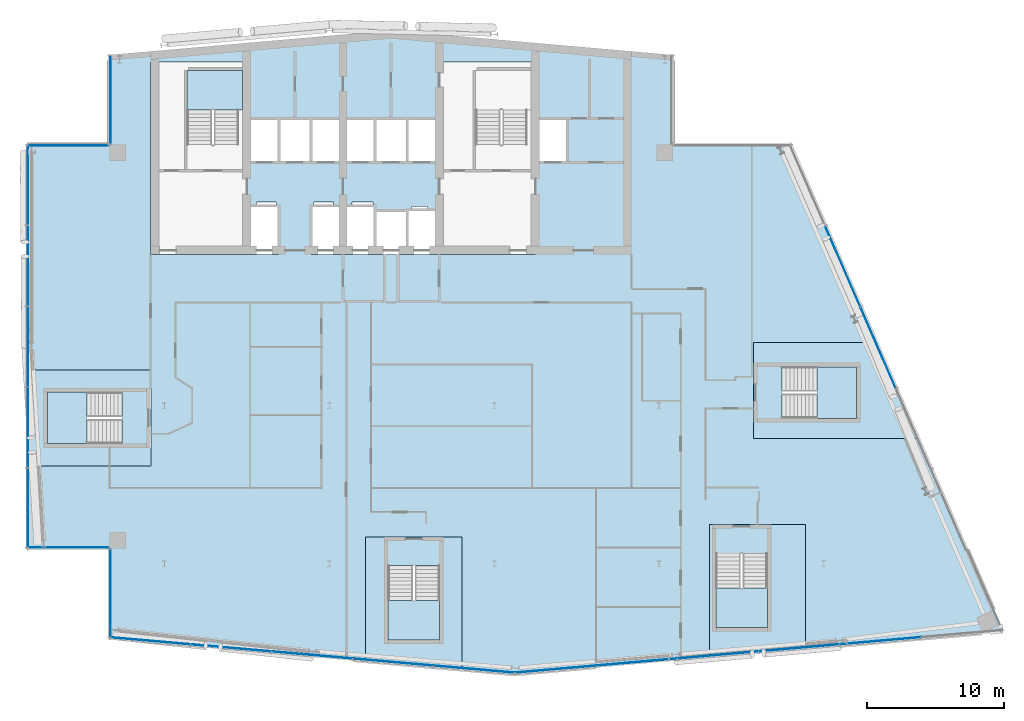
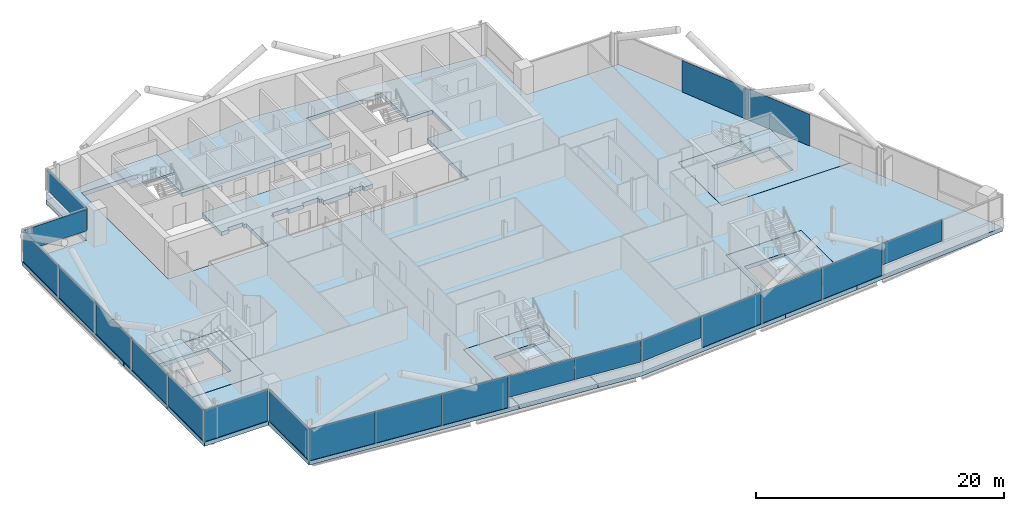
# One storey, part 13 of 25: 21 plates, 10 slabs, 13 elements without a shape of their own.
"""IFC4 building model written with IfcOpenShell, lengths in metres."""

import ifcopenshell
import ifcopenshell.guid

model = None  # the IFC model being written
_history = None  # IfcOwnerHistory: only IFC2X3 demands one
_inside = {}  # id of a spatial element -> (the spatial element, [elements in it])
_under = {}  # id of a project, library or spatial element -> (it, [spatial elements below it])
_declared = {}  # id of a project -> (the project, [libraries it declares])
_typed = {}  # id of a type object -> (the type object, [elements of that type])
_made_of = {}  # id of a material, layer set ... -> (it, [elements and type objects made of it])


def new_model(schema):
    """Start an empty IFC model of exactly this schema.

    Asked for "IFC4X3", IfcOpenShell would pick the latest addendum, in which some entities
    have other attributes; the version numbers below select the first issue.
    IFC2X3 requires an IfcOwnerHistory on every rooted entity: one is made here for all.
    """
    global model, _history
    if schema == "IFC4X3":
        model = ifcopenshell.file(schema_version=(4, 3, 0, 0))
    else:
        model = ifcopenshell.file(schema=schema)
    _inside.clear()
    _under.clear()
    _declared.clear()
    _typed.clear()
    _made_of.clear()
    _history = None
    if model.schema == "IFC2X3":
        org = make("IfcOrganization", Name="unknown")
        user = make(
            "IfcPersonAndOrganization",
            ThePerson=make("IfcPerson", FamilyName="unknown"),
            TheOrganization=org,
        )
        app = make(
            "IfcApplication",
            ApplicationDeveloper=org,
            Version="unknown",
            ApplicationFullName="unknown",
            ApplicationIdentifier="unknown",
        )
        _history = make(
            "IfcOwnerHistory",
            OwningUser=user,
            OwningApplication=app,
            ChangeAction="ADDED",
            CreationDate=0,
        )
    return model


def make(cls, **values):
    """One entity of the class cls with the attributes given. An attribute that is None is left unset."""
    return model.create_entity(
        cls, **{name: value for name, value in values.items() if value is not None}
    )


def rooted(cls, **values):
    """An entity with a GlobalId (a new one), such as an element, a storey or a relation."""
    return make(cls, GlobalId=ifcopenshell.guid.new(), OwnerHistory=_history, **values)


def si_unit(unit_type, name, prefix=None):
    """IfcSIUnit, for example si_unit("LENGTHUNIT", "METRE", prefix="MILLI")."""
    return make("IfcSIUnit", UnitType=unit_type, Prefix=prefix, Name=name)


def assignment(units):
    """IfcUnitAssignment: the units of a project."""
    return None if units is None else make("IfcUnitAssignment", Units=units)


def point(xyz):
    """IfcCartesianPoint."""
    return None if xyz is None else make("IfcCartesianPoint", Coordinates=xyz)


def direction(xyz):
    """IfcDirection."""
    return None if xyz is None else make("IfcDirection", DirectionRatios=xyz)


def frame(location, z_axis=None, x_axis=None):
    """IfcAxis2Placement3D, a coordinate frame: its origin and axes. An axis left out is left unset."""
    return make(
        "IfcAxis2Placement3D",
        Location=point(location),
        Axis=direction(z_axis),
        RefDirection=direction(x_axis),
    )


def frame_2d(location, x_axis=None):
    """IfcAxis2Placement2D, a coordinate frame in the plane: its origin and x axis."""
    return make(
        "IfcAxis2Placement2D", Location=point(location), RefDirection=direction(x_axis)
    )


def origin():
    """The frame at (0, 0, 0) with its axes left unset."""
    return frame((0.0, 0.0, 0.0))


def origin_2d():
    """The frame at (0, 0) in the plane with its x axis left unset."""
    return frame_2d((0.0, 0.0))


def place(relative_to, where):
    """IfcLocalPlacement: puts the frame where relative to a parent placement (None: the world)."""
    return make(
        "IfcLocalPlacement", PlacementRelTo=relative_to, RelativePlacement=where
    )


def context(
    kind, dimensions, precision=None, world=None, true_north=None, identifier=None
):
    """IfcGeometricRepresentationContext, for example the 3D "Model" context."""
    return make(
        "IfcGeometricRepresentationContext",
        ContextIdentifier=identifier,
        ContextType=kind,
        CoordinateSpaceDimension=dimensions,
        Precision=precision,
        WorldCoordinateSystem=world,
        TrueNorth=true_north,
    )


def subcontext(parent, identifier, kind, view, scale=None):
    """IfcGeometricRepresentationSubContext, for example "Body" below "Model"."""
    return make(
        "IfcGeometricRepresentationSubContext",
        ContextIdentifier=identifier,
        ContextType=kind,
        ParentContext=parent,
        TargetScale=scale,
        TargetView=view,
    )


def project(units=None, contexts=None):
    """IfcProject with its units and contexts."""
    return rooted(
        "IfcProject",
        Name="project",
        RepresentationContexts=contexts,
        UnitsInContext=assignment(units),
    )


def spatial(cls, under=None, at=None, **own):
    """A site, building, storey or space (cls), placed at a placement, below another one or the project."""
    s = rooted(cls, ObjectPlacement=at, **own)
    if under is not None:
        _under.setdefault(under.id(), (under, []))[1].append(s)
    return s


def polyline(points):
    """IfcPolyline through the points."""
    return make("IfcPolyline", Points=[point(p) for p in points])


def profile(cls, at=None, kind="AREA", **sizes):
    """A parametric profile (cls). Its sizes go by their IFC names, for example OverallWidth=200.0."""
    return make(cls, ProfileType=kind, Position=at, **sizes)


def rectangle(**sizes):
    """IfcRectangleProfileDef."""
    return profile("IfcRectangleProfileDef", **sizes)


def outline(outer, holes=None, kind="AREA"):
    """IfcArbitraryClosedProfileDef: a profile drawn as a closed curve; with holes, ...WithVoids."""
    if holes is None:
        return make("IfcArbitraryClosedProfileDef", ProfileType=kind, OuterCurve=outer)
    return make(
        "IfcArbitraryProfileDefWithVoids",
        ProfileType=kind,
        OuterCurve=outer,
        InnerCurves=holes,
    )


def extrude(swept, where, along, depth):
    """IfcExtrudedAreaSolid: the profile swept, set in the frame where, extruded along a direction by depth."""
    return make(
        "IfcExtrudedAreaSolid",
        SweptArea=swept,
        Position=where,
        ExtrudedDirection=direction(along),
        Depth=depth,
    )


def shape(context_of_items, identifier, shape_type, items):
    """IfcShapeRepresentation: the items that make up one representation, for example the "Body"."""
    return make(
        "IfcShapeRepresentation",
        ContextOfItems=context_of_items,
        RepresentationIdentifier=identifier,
        RepresentationType=shape_type,
        Items=items,
    )


def material(Name=None, Category=None):
    """IfcMaterial."""
    return make("IfcMaterial", Name=Name, Category=Category)


def layer(
    of_material, thickness, ventilated=None, Name=None, Category=None, Priority=None
):
    """IfcMaterialLayer: one layer of a wall or slab, of a material (None: an air gap)."""
    return make(
        "IfcMaterialLayer",
        Material=of_material,
        LayerThickness=thickness,
        IsVentilated=ventilated,
        Name=Name,
        Category=Category,
        Priority=Priority,
    )


def layer_set(layers, Name=None):
    """IfcMaterialLayerSet."""
    return make("IfcMaterialLayerSet", MaterialLayers=layers, LayerSetName=Name)


def made_of(thing, what):
    """Note that an element or type object is made of a material, layer set ...; save() writes the relation."""
    if what is not None:
        _made_of.setdefault(what.id(), (what, []))[1].append(thing)
    return thing


def type_object(cls, material=None, **own):
    """A type object (cls), such as IfcWallType, which elements share."""
    return made_of(rooted(cls, **own), material)


def element(
    cls,
    number,
    at=None,
    inside=None,
    cuts=None,
    type_object=None,
    material=None,
    context=None,
    identifier="Body",
    shape_type=None,
    held_by="IfcProductDefinitionShape",
    body=None,
    shapes=None,
    **own,
):
    """One element of the class cls, such as IfcWall. Its Tag is "e" and its number.

    at: its placement. inside: the storey or other place that contains it. cuts: it is an
    opening in that element (IfcRelVoidsElement). A single representation is given by context,
    identifier, shape_type and body (its items); several are given by shapes. held_by: the class
    of the entity that holds the representations. save() writes the other relations.
    """
    e = rooted(cls, Tag="e%d" % number, ObjectPlacement=at, **own)
    if body is not None:
        shapes = [shape(context, identifier, shape_type, body)]
    if shapes is not None:
        e.Representation = make(held_by, Representations=shapes)
    if inside is not None:
        _inside.setdefault(inside.id(), (inside, []))[1].append(e)
    if cuts is not None:
        rooted(
            "IfcRelVoidsElement", RelatingBuildingElement=cuts, RelatedOpeningElement=e
        )
    if type_object is not None:
        _typed.setdefault(type_object.id(), (type_object, []))[1].append(e)
    return made_of(e, material)


def aggregate(whole, parts):
    """IfcRelAggregates: a whole, such as a stair, and the parts it consists of."""
    return rooted("IfcRelAggregates", RelatingObject=whole, RelatedObjects=parts)


def save(model, path):
    """Write the relations noted so far, then the file.

    IfcRelAggregates (storeys below a building ...), IfcRelContainedInSpatialStructure (elements
    in a storey), IfcRelDefinesByType, IfcRelAssociatesMaterial and IfcRelDeclares: one each for
    every whole, place, type object, material and project.
    """
    for whole, parts in _under.values():
        aggregate(whole, parts)
    for where, things in _inside.values():
        rooted(
            "IfcRelContainedInSpatialStructure",
            RelatedElements=things,
            RelatingStructure=where,
        )
    for kind, things in _typed.values():
        rooted("IfcRelDefinesByType", RelatedObjects=things, RelatingType=kind)
    for what, things in _made_of.values():
        rooted("IfcRelAssociatesMaterial", RelatedObjects=things, RelatingMaterial=what)
    for by, libraries in _declared.values():
        rooted("IfcRelDeclares", RelatingContext=by, RelatedDefinitions=libraries)
    model.write(path)


model = new_model("IFC4")

# Units and contexts
model_context = context("Model", 3, precision=1e-05, world=origin(), true_north=direction((0.0, 1.0)))
body_context = subcontext(model_context, "Body", "Model", "MODEL_VIEW")
ifc_project = project(units=[si_unit("LENGTHUNIT", "METRE"), si_unit("AREAUNIT", "SQUARE_METRE"), si_unit("VOLUMEUNIT", "CUBIC_METRE"), si_unit("PLANEANGLEUNIT", "RADIAN"), si_unit("MASSUNIT", "GRAM", prefix="KILO")], contexts=[model_context])

# Site, building, storey
site_placement = place(None, origin())
site = spatial("IfcSite", under=ifc_project, at=site_placement, CompositionType="ELEMENT")
building_placement = place(site_placement, origin())
building = spatial("IfcBuilding", under=site, at=building_placement, Name="Wharfspan Tower", CompositionType="ELEMENT")
storey_placement = place(building_placement, frame((0.0, 0.0, 225.100098)))
storey = spatial("IfcBuildingStorey", under=building, at=storey_placement, Name="L56", CompositionType="ELEMENT", Elevation=225.100098)

# Curtain wall, plates
ifc_material_1 = material(Name="Aluminium 6063-T6", Category="aluminium")
curtain_wall_type_1 = type_object("IfcCurtainWallType", Name="CURTAIN WALL FACETED FRONT", PredefinedType="NOTDEFINED", material=ifc_material_1)
curtain_wall_1_placement = place(storey_placement, origin())
curtain_wall_1 = element("IfcCurtainWall", 1, at=curtain_wall_1_placement, inside=storey, type_object=curtain_wall_type_1, Name="Curtain wall S1", PredefinedType="NOTDEFINED")
ifc_material_2 = material(Name="Glass clear low-iron double glazing", Category="glass")
ifc_layer_1 = layer(ifc_material_2, 0.040039)
ifc_layer_set_1 = layer_set([ifc_layer_1], Name="Glass clear low-iron double glazing")
plate_type_1 = type_object("IfcPlateType", Name="GLASS PANEL FACETED FRONT 40", PredefinedType="CURTAIN_PANEL", material=ifc_layer_set_1)
plate_1_placement = place(storey_placement, frame((40.655273, 4.328125, 0.999756), z_axis=(0.0, 0.0, 1.0), x_axis=(0.996197, -0.087156, 0.0)))
plate_1 = element("IfcPlate", 2, at=plate_1_placement, type_object=plate_type_1, Name="Curtain wall S1 panel 4", PredefinedType="CURTAIN_PANEL", context=body_context, shape_type="SweptSolid", body=[
    extrude(rectangle(XDim=5.862549, YDim=0.040039, at=origin_2d()), origin(), (0.0, 0.0, 1.0), 2.120117),
])
plate_2_placement = place(storey_placement, frame((46.540283, 3.813232, 0.999756), z_axis=(0.0, 0.0, 1.0), x_axis=(0.996197, -0.087156, 0.0)))
plate_2 = element("IfcPlate", 3, at=plate_2_placement, type_object=plate_type_1, Name="Curtain wall S1 panel 5", PredefinedType="CURTAIN_PANEL", context=body_context, shape_type="SweptSolid", body=[
    extrude(rectangle(XDim=5.83252, YDim=0.040039, at=origin_2d()), origin(), (0.0, 0.0, 1.0), 2.120117),
])

curtain_wall_2_placement = place(storey_placement, origin())
curtain_wall_2 = element("IfcCurtainWall", 4, at=curtain_wall_2_placement, inside=storey, type_object=curtain_wall_type_1, Name="Curtain wall S2", PredefinedType="NOTDEFINED")
plate_3_placement = place(storey_placement, frame((52.468018, 3.813965, 0.999756), z_axis=(0.0, 0.0, 1.0), x_axis=(0.996197, 0.087156, 0.0)))
plate_3 = element("IfcPlate", 5, at=plate_3_placement, type_object=plate_type_1, Name="Curtain wall S2 panel 1", PredefinedType="CURTAIN_PANEL", context=body_context, shape_type="SweptSolid", body=[
    extrude(rectangle(XDim=5.849365, YDim=0.040039, at=origin_2d()), origin(), (0.0, 0.0, 1.0), 2.120117),
])
plate_4_placement = place(storey_placement, frame((76.119873, 5.883301, 0.999756), z_axis=(0.0, 0.0, 1.0), x_axis=(0.996197, 0.087156, 0.0)))
plate_4 = element("IfcPlate", 6, at=plate_4_placement, type_object=plate_type_1, Name="Curtain wall S2 panel 5", PredefinedType="CURTAIN_PANEL", context=body_context, shape_type="SweptSolid", body=[
    extrude(rectangle(XDim=5.87915, YDim=0.040039, at=origin_2d()), origin(), (0.0, 0.0, 1.0), 2.120117),
])

# Curtain wall, plate
curtain_wall_type_2 = type_object("IfcCurtainWallType", Name="CURTAIN WALL PROW AND END", PredefinedType="NOTDEFINED", material=ifc_material_1)
curtain_wall_3_placement = place(storey_placement, origin())
curtain_wall_3 = element("IfcCurtainWall", 7, at=curtain_wall_3_placement, inside=storey, type_object=curtain_wall_type_2, Name="Curtain wall NRW-V", PredefinedType="NOTDEFINED")
ifc_layer_2 = layer(ifc_material_2, 0.040039)
ifc_layer_set_2 = layer_set([ifc_layer_2], Name="Glass clear low-iron double glazing")
plate_type_2 = type_object("IfcPlateType", Name="GLASS PANEL PROW AND END 40", PredefinedType="CURTAIN_PANEL", material=ifc_layer_set_2)
plate_5_placement = place(storey_placement, frame((20.080078, 45.262451, 0.999756), z_axis=(0.0, 0.0, 1.0), x_axis=(0.0, -1.0, 0.0)))
plate_5 = element("IfcPlate", 8, at=plate_5_placement, type_object=plate_type_2, Name="Curtain wall NRW-V panel 1", PredefinedType="CURTAIN_PANEL", context=body_context, shape_type="SweptSolid", body=[
    extrude(rectangle(XDim=6.405029, YDim=0.040039, at=origin_2d()), origin(), (0.0, 0.0, 1.0), 2.120117),
])
aggregate(curtain_wall_3, [plate_5])

curtain_wall_4_placement = place(storey_placement, origin())
curtain_wall_4 = element("IfcCurtainWall", 9, at=curtain_wall_4_placement, inside=storey, type_object=curtain_wall_type_2, Name="Curtain wall NRW-H", PredefinedType="NOTDEFINED")
plate_6_placement = place(storey_placement, frame((17.0, 41.919922, 0.999756), z_axis=(0.0, 0.0, 1.0), x_axis=(-1.0, 0.0, 0.0)))
plate_6 = element("IfcPlate", 10, at=plate_6_placement, type_object=plate_type_2, Name="Curtain wall NRW-H panel 1", PredefinedType="CURTAIN_PANEL", context=body_context, shape_type="SweptSolid", body=[
    extrude(rectangle(XDim=5.879883, YDim=0.040039, at=origin_2d()), origin(), (0.0, 0.0, 1.0), 2.120117),
])
aggregate(curtain_wall_4, [plate_6])

# Plate
ifc_material_3 = material(Name="Aluminium composite opaque insulated panel", Category="aluminium")
ifc_layer_3 = layer(ifc_material_3, 0.040039)
ifc_layer_set_3 = layer_set([ifc_layer_3], Name="Aluminium composite opaque insulated panel")
plate_type_3 = type_object("IfcPlateType", Name="INFILL PANEL FACETED FRONT OPAQUE 40", PredefinedType="SHEET", material=ifc_layer_set_3)
plate_7_placement = place(storey_placement, frame((22.970215, 5.875488, -0.000244), z_axis=(0.0, 0.0, 1.0), x_axis=(0.996197, -0.087156, 0.0)))
plate_7 = element("IfcPlate", 11, at=plate_7_placement, type_object=plate_type_3, Name="Curtain wall S1 panel 1", PredefinedType="SHEET", context=body_context, shape_type="SweptSolid", body=[
    extrude(rectangle(XDim=5.83252, YDim=0.040039, at=origin_2d()), origin(), (0.0, 0.0, 1.0), 3.120117),
])

plate_8_placement = place(storey_placement, frame((28.855225, 5.360596, -0.000244), z_axis=(0.0, 0.0, 1.0), x_axis=(0.996197, -0.087156, 0.0)))
plate_8 = element("IfcPlate", 12, at=plate_8_placement, type_object=plate_type_3, Name="Curtain wall S1 panel 2", PredefinedType="SHEET", context=body_context, shape_type="SweptSolid", body=[
    extrude(rectangle(XDim=5.862549, YDim=0.040039, at=origin_2d()), origin(), (0.0, 0.0, 1.0), 3.120117),
])

plate_9_placement = place(storey_placement, frame((34.755127, 4.844482, -0.000244), z_axis=(0.0, 0.0, 1.0), x_axis=(0.996197, -0.087156, 0.0)))
plate_9 = element("IfcPlate", 13, at=plate_9_placement, type_object=plate_type_3, Name="Curtain wall S1 panel 3", PredefinedType="SHEET", context=body_context, shape_type="SweptSolid", body=[
    extrude(rectangle(XDim=5.862549, YDim=0.040039, at=origin_2d()), origin(), (0.0, 0.0, 1.0), 3.120117),
])

aggregate(curtain_wall_1, [plate_7, plate_8, plate_9, plate_1, plate_2])

plate_10_placement = place(storey_placement, frame((58.369873, 4.330322, -0.000244), z_axis=(0.0, 0.0, 1.0), x_axis=(0.996197, 0.087156, 0.0)))
plate_10 = element("IfcPlate", 14, at=plate_10_placement, type_object=plate_type_3, Name="Curtain wall S2 panel 2", PredefinedType="SHEET", context=body_context, shape_type="SweptSolid", body=[
    extrude(rectangle(XDim=5.87915, YDim=0.040039, at=origin_2d()), origin(), (0.0, 0.0, 1.0), 3.120117),
])

plate_11_placement = place(storey_placement, frame((64.286377, 4.848145, -0.000244), z_axis=(0.0, 0.0, 1.0), x_axis=(0.996197, 0.087156, 0.0)))
plate_11 = element("IfcPlate", 15, at=plate_11_placement, type_object=plate_type_3, Name="Curtain wall S2 panel 3", PredefinedType="SHEET", context=body_context, shape_type="SweptSolid", body=[
    extrude(rectangle(XDim=5.87915, YDim=0.040039, at=origin_2d()), origin(), (0.0, 0.0, 1.0), 3.120117),
])

plate_12_placement = place(storey_placement, frame((70.203125, 5.365723, -0.000244), z_axis=(0.0, 0.0, 1.0), x_axis=(0.996197, 0.087156, 0.0)))
plate_12 = element("IfcPlate", 16, at=plate_12_placement, type_object=plate_type_3, Name="Curtain wall S2 panel 4", PredefinedType="SHEET", context=body_context, shape_type="SweptSolid", body=[
    extrude(rectangle(XDim=5.87915, YDim=0.040039, at=origin_2d()), origin(), (0.0, 0.0, 1.0), 3.120117),
])

aggregate(curtain_wall_2, [plate_3, plate_10, plate_11, plate_12, plate_4])

# Curtain wall, plates
curtain_wall_5_placement = place(storey_placement, origin())
curtain_wall_5 = element("IfcCurtainWall", 17, at=curtain_wall_5_placement, inside=storey, type_object=curtain_wall_type_2, Name="Curtain wall E", PredefinedType="NOTDEFINED")
ifc_layer_4 = layer(ifc_material_3, 0.040039)
ifc_layer_set_4 = layer_set([ifc_layer_4], Name="Aluminium composite opaque insulated panel")
plate_type_4 = type_object("IfcPlateType", Name="INFILL PANEL PROW AND END OPAQUE 40", PredefinedType="SHEET", material=ifc_layer_set_4)
plate_13_placement = place(storey_placement, frame((75.948486, 27.218018, -0.000244), z_axis=(0.0, 0.0, 1.0), x_axis=(-0.398727, 0.917072, 0.0)))
plate_13 = element("IfcPlate", 18, at=plate_13_placement, type_object=plate_type_4, Name="Curtain wall E panel 4", PredefinedType="SHEET", context=body_context, shape_type="SweptSolid", body=[
    extrude(rectangle(XDim=6.373535, YDim=0.040039, at=origin_2d()), origin(), (0.0, 0.0, 1.0), 3.120117),
])
plate_14_placement = place(storey_placement, frame((73.383057, 33.118164, -0.000244), z_axis=(0.0, 0.0, 1.0), x_axis=(-0.398727, 0.917072, 0.0)))
plate_14 = element("IfcPlate", 19, at=plate_14_placement, type_object=plate_type_4, Name="Curtain wall E panel 5", PredefinedType="SHEET", context=body_context, shape_type="SweptSolid", body=[
    extrude(rectangle(XDim=6.373535, YDim=0.040039, at=origin_2d()), origin(), (0.0, 0.0, 1.0), 3.120117),
])
aggregate(curtain_wall_5, [plate_13, plate_14])

curtain_wall_6_placement = place(storey_placement, origin())
curtain_wall_6 = element("IfcCurtainWall", 20, at=curtain_wall_6_placement, inside=storey, type_object=curtain_wall_type_2, Name="Curtain wall W", PredefinedType="NOTDEFINED")
plate_15_placement = place(storey_placement, frame((14.080078, 39.044922, -0.000244), z_axis=(0.0, 0.0, 1.0), x_axis=(0.0, -1.0, 0.0)))
plate_15 = element("IfcPlate", 21, at=plate_15_placement, type_object=plate_type_4, Name="Curtain wall W panel 1", PredefinedType="SHEET", context=body_context, shape_type="SweptSolid", body=[
    extrude(rectangle(XDim=5.790039, YDim=0.040039, at=origin_2d()), origin(), (0.0, 0.0, 1.0), 3.120117),
])
plate_16_placement = place(storey_placement, frame((14.080078, 33.179932, -0.000244), z_axis=(0.0, 0.0, 1.0), x_axis=(0.0, -1.0, 0.0)))
plate_16 = element("IfcPlate", 22, at=plate_16_placement, type_object=plate_type_4, Name="Curtain wall W panel 2", PredefinedType="SHEET", context=body_context, shape_type="SweptSolid", body=[
    extrude(rectangle(XDim=5.820068, YDim=0.040039, at=origin_2d()), origin(), (0.0, 0.0, 1.0), 3.120117),
])
plate_17_placement = place(storey_placement, frame((14.080078, 27.300049, -0.000244), z_axis=(0.0, 0.0, 1.0), x_axis=(0.0, -1.0, 0.0)))
plate_17 = element("IfcPlate", 23, at=plate_17_placement, type_object=plate_type_4, Name="Curtain wall W panel 3", PredefinedType="SHEET", context=body_context, shape_type="SweptSolid", body=[
    extrude(rectangle(XDim=5.820068, YDim=0.040039, at=origin_2d()), origin(), (0.0, 0.0, 1.0), 3.120117),
])
plate_18_placement = place(storey_placement, frame((14.080078, 21.419922, -0.000244), z_axis=(0.0, 0.0, 1.0), x_axis=(0.0, -1.0, 0.0)))
plate_18 = element("IfcPlate", 24, at=plate_18_placement, type_object=plate_type_4, Name="Curtain wall W panel 4", PredefinedType="SHEET", context=body_context, shape_type="SweptSolid", body=[
    extrude(rectangle(XDim=5.820068, YDim=0.040039, at=origin_2d()), origin(), (0.0, 0.0, 1.0), 3.120117),
])
plate_19_placement = place(storey_placement, frame((14.080078, 15.554932, -0.000244), z_axis=(0.0, 0.0, 1.0), x_axis=(0.0, -1.0, 0.0)))
plate_19 = element("IfcPlate", 25, at=plate_19_placement, type_object=plate_type_4, Name="Curtain wall W panel 5", PredefinedType="SHEET", context=body_context, shape_type="SweptSolid", body=[
    extrude(rectangle(XDim=5.790039, YDim=0.040039, at=origin_2d()), origin(), (0.0, 0.0, 1.0), 3.120117),
])
aggregate(curtain_wall_6, [plate_15, plate_16, plate_17, plate_18, plate_19])

# Curtain wall, plate
curtain_wall_7_placement = place(storey_placement, origin())
curtain_wall_7 = element("IfcCurtainWall", 26, at=curtain_wall_7_placement, inside=storey, type_object=curtain_wall_type_2, Name="Curtain wall NFW-H", PredefinedType="NOTDEFINED")
plate_20_placement = place(storey_placement, frame((17.0, 12.679932, -0.000244), z_axis=(0.0, 0.0, 1.0), x_axis=(1.0, 0.0, 0.0)))
plate_20 = element("IfcPlate", 27, at=plate_20_placement, type_object=plate_type_4, Name="Curtain wall NFW-H panel 1", PredefinedType="SHEET", context=body_context, shape_type="SweptSolid", body=[
    extrude(rectangle(XDim=5.879883, YDim=0.040039, at=origin_2d()), origin(), (0.0, 0.0, 1.0), 3.120117),
])
aggregate(curtain_wall_7, [plate_20])

curtain_wall_8_placement = place(storey_placement, origin())
curtain_wall_8 = element("IfcCurtainWall", 28, at=curtain_wall_8_placement, inside=storey, type_object=curtain_wall_type_2, Name="Curtain wall NFW-V", PredefinedType="NOTDEFINED")
plate_21_placement = place(storey_placement, frame((20.080078, 9.337646, -0.000244), z_axis=(0.0, 0.0, 1.0), x_axis=(0.0, -1.0, 0.0)))
plate_21 = element("IfcPlate", 29, at=plate_21_placement, type_object=plate_type_4, Name="Curtain wall NFW-V panel 1", PredefinedType="SHEET", context=body_context, shape_type="SweptSolid", body=[
    extrude(rectangle(XDim=6.405029, YDim=0.040039, at=origin_2d()), origin(), (0.0, 0.0, 1.0), 3.120117),
])
aggregate(curtain_wall_8, [plate_21])

# Slabs
ifc_material_4 = material(Name="Concrete C40/50", Category="concrete")
ifc_layer_5 = layer(ifc_material_4, 0.399902)
ifc_layer_set_5 = layer_set([ifc_layer_5], Name="Concrete C40/50")
slab_type_1 = type_object("IfcSlabType", Name="Post-tensioned flat slab 400", PredefinedType="FLOOR", material=ifc_layer_set_5)
slab_1_placement = place(storey_placement, frame((0.0, 0.0, -0.400146)))
element("IfcSlab", 30, at=slab_1_placement, inside=storey, type_object=slab_type_1, Name="Floor slab L56", PredefinedType="FLOOR", context=body_context, shape_type="SweptSolid", body=[
    extrude(outline(polyline([(38.64209, 4.444092), (38.64209, 13.453125), (45.662109, 13.453125), (45.662109, 3.829834), (49.5, 3.494141), (63.658691, 4.73291), (63.658691, 14.356201), (70.678711, 14.356201), (70.678711, 5.347168), (85.0, 6.600098), (78.91748, 20.590088), (66.859619, 20.590088), (66.859619, 27.610107), (75.865234, 27.610107), (69.608643, 42.0), (61.0, 42.0), (61.0, 48.524902), (40.5, 50.318359), (20.0, 48.524902), (20.0, 42.0), (14.0, 42.0), (14.0, 25.610107), (23.01001, 25.610107), (23.01001, 18.590088), (14.0, 18.590088), (14.0, 12.600098), (20.0, 12.600098), (20.0, 6.075195), (38.64209, 4.444092)]), holes=[polyline([(32.126709, 37.560059), (32.343262, 37.560059), (32.343262, 33.98999), (22.98999, 33.98999), (22.98999, 48.01001), (30.01001, 48.01001), (30.01001, 43.909912), (43.98999, 43.909912), (43.98999, 48.01001), (51.01001, 48.01001), (51.01001, 43.909912), (53.343262, 43.909912), (53.343262, 40.689941), (51.01001, 40.689941), (51.01001, 33.98999), (34.656738, 33.98999), (34.656738, 37.560059), (34.873291, 37.560059), (34.873291, 37.810059), (36.293213, 37.810059), (36.293213, 37.560059), (37.666748, 37.560059), (37.666748, 37.810059), (39.166748, 37.810059), (39.166748, 37.560059), (39.343262, 37.560059), (39.343262, 37.209961), (41.656738, 37.209961), (41.656738, 37.26001), (42.023193, 37.26001), (42.023193, 37.51001), (43.143311, 37.51001), (43.143311, 37.26001), (43.98999, 37.26001), (43.98999, 40.689941), (30.01001, 40.689941), (30.01001, 37.560059), (30.706787, 37.560059), (30.706787, 37.810059), (32.126709, 37.810059), (32.126709, 37.560059)])]), origin(), (0.0, 0.0, 1.0), 0.400146),
])
slab_2_placement = place(storey_placement, frame((0.0, 0.0, -0.400146)))
element("IfcSlab", 31, at=slab_2_placement, inside=storey, type_object=slab_type_1, Name="Core floor slab L56 part 1", PredefinedType="FLOOR", context=body_context, shape_type="SweptSolid", body=[
    extrude(outline(polyline([(23.0, 19.925049), (23.0, 24.274902), (23.0, 25.600098), (14.0, 25.600098), (14.0, 18.600098), (23.0, 18.600098), (23.0, 19.925049)]), holes=[polyline([(20.899902, 23.977051), (20.900146, 23.977051), (20.900391, 23.977051), (20.900635, 23.976807), (20.900879, 23.976807), (20.900879, 23.976807), (20.901123, 23.976807), (20.901367, 23.976562), (20.901367, 23.976318), (20.901611, 23.976318), (20.901611, 23.976074), (20.901855, 23.97583), (20.901855, 23.97583), (20.901855, 23.975586), (20.9021, 23.975342), (20.9021, 23.975098), (20.9021, 23.975098), (20.9021, 20.225098), (20.9021, 20.224854), (20.9021, 20.224609), (20.901855, 20.224365), (20.901855, 20.224121), (20.901855, 20.224121), (20.901611, 20.223877), (20.901611, 20.223633), (20.901367, 20.223633), (20.901367, 20.223389), (20.901123, 20.223389), (20.900879, 20.223145), (20.900879, 20.223145), (20.900635, 20.223145), (20.900391, 20.2229), (20.900146, 20.2229), (20.899902, 20.2229), (15.5, 20.2229), (15.499756, 20.2229), (15.499512, 20.2229), (15.499512, 20.223145), (15.499268, 20.223145), (15.499023, 20.223145), (15.498779, 20.223389), (15.498779, 20.223389), (15.498535, 20.223633), (15.498535, 20.223633), (15.498291, 20.223877), (15.498291, 20.224121), (15.498291, 20.224121), (15.498047, 20.224365), (15.498047, 20.224609), (15.498047, 20.224854), (15.498047, 20.225098), (15.498047, 23.975098), (15.498047, 23.975098), (15.498047, 23.975342), (15.498047, 23.975586), (15.498291, 23.97583), (15.498291, 23.97583), (15.498291, 23.976074), (15.498535, 23.976318), (15.498535, 23.976318), (15.498779, 23.976562), (15.498779, 23.976807), (15.499023, 23.976807), (15.499268, 23.976807), (15.499512, 23.976807), (15.499512, 23.977051), (15.499756, 23.977051), (15.5, 23.977051), (20.899902, 23.977051)])]), origin(), (0.0, 0.0, 1.0), 0.400146),
])
slab_3_placement = place(storey_placement, frame((0.0, 0.0, -0.400146)))
element("IfcSlab", 32, at=slab_3_placement, inside=storey, type_object=slab_type_1, Name="Core floor slab L56 part 3", PredefinedType="FLOOR", context=body_context, shape_type="SweptSolid", body=[
    extrude(outline(polyline([(44.327148, 13.443115), (39.977051, 13.443115), (38.6521, 13.443115), (38.6521, 4.443115), (45.6521, 3.830811), (45.6521, 13.443115), (44.327148, 13.443115)]), holes=[polyline([(40.275146, 11.343262), (40.275146, 11.343506), (40.275146, 11.343506), (40.275146, 11.34375), (40.275391, 11.343994), (40.275391, 11.344238), (40.275391, 11.344238), (40.275635, 11.344482), (40.275635, 11.344482), (40.275879, 11.344727), (40.275879, 11.344971), (40.276123, 11.344971), (40.276367, 11.345215), (40.276611, 11.345215), (40.276611, 11.345215), (40.276855, 11.345215), (40.2771, 11.345215), (44.0271, 11.345215), (44.027344, 11.345215), (44.027588, 11.345215), (44.027588, 11.345215), (44.027832, 11.345215), (44.028076, 11.344971), (44.02832, 11.344971), (44.02832, 11.344727), (44.028564, 11.344482), (44.028809, 11.344482), (44.028809, 11.344238), (44.028809, 11.344238), (44.029053, 11.343994), (44.029053, 11.34375), (44.029053, 11.343506), (44.029053, 11.343506), (44.029053, 11.343262), (44.029053, 5.943115), (44.029053, 5.943115), (44.029053, 5.942871), (44.029053, 5.942627), (44.029053, 5.942383), (44.028809, 5.942383), (44.028809, 5.942139), (44.028809, 5.941895), (44.028564, 5.941895), (44.02832, 5.94165), (44.02832, 5.94165), (44.028076, 5.941406), (44.027832, 5.941406), (44.027588, 5.941406), (44.027588, 5.941406), (44.027344, 5.941162), (44.0271, 5.941162), (40.2771, 5.941162), (40.276855, 5.941162), (40.276611, 5.941406), (40.276611, 5.941406), (40.276367, 5.941406), (40.276123, 5.941406), (40.275879, 5.94165), (40.275879, 5.94165), (40.275635, 5.941895), (40.275635, 5.941895), (40.275391, 5.942139), (40.275391, 5.942383), (40.275391, 5.942383), (40.275146, 5.942627), (40.275146, 5.942871), (40.275146, 5.943115), (40.275146, 5.943115), (40.275146, 11.343262)])]), origin(), (0.0, 0.0, 1.0), 0.400146),
])
slab_4_placement = place(storey_placement, frame((0.0, 0.0, -0.400146)))
element("IfcSlab", 33, at=slab_4_placement, inside=storey, type_object=slab_type_1, Name="Core floor slab L56 part 4", PredefinedType="FLOOR", context=body_context, shape_type="SweptSolid", body=[
    extrude(outline(polyline([(70.668701, 14.346191), (68.193848, 14.346191), (63.84375, 14.346191), (63.668701, 14.346191), (63.668701, 4.733887), (70.668701, 5.346191), (70.668701, 14.346191)]), holes=[polyline([(64.141846, 12.246094), (64.141846, 12.246338), (64.141846, 12.246582), (64.141846, 12.246826), (64.14209, 12.246826), (64.14209, 12.24707), (64.14209, 12.247314), (64.142334, 12.247559), (64.142334, 12.247559), (64.142578, 12.247803), (64.142578, 12.247803), (64.142822, 12.247803), (64.143066, 12.248047), (64.143311, 12.248047), (64.143311, 12.248047), (64.143555, 12.248291), (64.143799, 12.248291), (67.893799, 12.248291), (67.894043, 12.248291), (67.894287, 12.248047), (67.894287, 12.248047), (67.894531, 12.248047), (67.894775, 12.247803), (67.89502, 12.247803), (67.89502, 12.247803), (67.895264, 12.247559), (67.895508, 12.247559), (67.895508, 12.247314), (67.895508, 12.24707), (67.895752, 12.246826), (67.895752, 12.246826), (67.895752, 12.246582), (67.895752, 12.246338), (67.895752, 12.246094), (67.895752, 6.846191), (67.895752, 6.845947), (67.895752, 6.845703), (67.895752, 6.845703), (67.895752, 6.845459), (67.895508, 6.845215), (67.895508, 6.845215), (67.895508, 6.844971), (67.895264, 6.844727), (67.89502, 6.844482), (67.89502, 6.844482), (67.894775, 6.844482), (67.894531, 6.844238), (67.894287, 6.844238), (67.894287, 6.844238), (67.894043, 6.844238), (67.893799, 6.844238), (64.143799, 6.844238), (64.143555, 6.844238), (64.143311, 6.844238), (64.143311, 6.844238), (64.143066, 6.844238), (64.142822, 6.844482), (64.142578, 6.844482), (64.142578, 6.844482), (64.142334, 6.844727), (64.142334, 6.844971), (64.14209, 6.845215), (64.14209, 6.845215), (64.14209, 6.845459), (64.141846, 6.845703), (64.141846, 6.845703), (64.141846, 6.845947), (64.141846, 6.846191), (64.141846, 12.246094)])]), origin(), (0.0, 0.0, 1.0), 0.400146),
])
slab_5_placement = place(storey_placement, frame((0.0, 0.0, -0.400146)))
element("IfcSlab", 34, at=slab_5_placement, inside=storey, type_object=slab_type_1, Name="Core floor slab L56 part 5", PredefinedType="FLOOR", context=body_context, shape_type="SweptSolid", body=[
    extrude(outline(polyline([(75.869629, 27.600098), (66.869629, 27.600098), (66.869629, 26.125), (66.869629, 21.774902), (66.869629, 20.600098), (78.913086, 20.600098), (75.869629, 27.600098)]), holes=[polyline([(68.967529, 25.824951), (68.967529, 25.825195), (68.967529, 25.825439), (68.967773, 25.825684), (68.967773, 25.825684), (68.967773, 25.825928), (68.968018, 25.826172), (68.968018, 25.826416), (68.968262, 25.826416), (68.968262, 25.826416), (68.968506, 25.82666), (68.968506, 25.826904), (68.96875, 25.826904), (68.968994, 25.826904), (68.969238, 25.826904), (68.969482, 25.826904), (68.969482, 25.826904), (74.369629, 25.826904), (74.369873, 25.826904), (74.370117, 25.826904), (74.370117, 25.826904), (74.370361, 25.826904), (74.370605, 25.826904), (74.370605, 25.82666), (74.37085, 25.826416), (74.371094, 25.826416), (74.371094, 25.826416), (74.371094, 25.826172), (74.371338, 25.825928), (74.371338, 25.825684), (74.371582, 25.825684), (74.371582, 25.825439), (74.371582, 25.825195), (74.371582, 25.824951), (74.371582, 22.074951), (74.371582, 22.074707), (74.371582, 22.074707), (74.371582, 22.074463), (74.371338, 22.074219), (74.371338, 22.074219), (74.371094, 22.073975), (74.371094, 22.07373), (74.371094, 22.073486), (74.37085, 22.073486), (74.370605, 22.073242), (74.370605, 22.073242), (74.370361, 22.073242), (74.370117, 22.072998), (74.370117, 22.072998), (74.369873, 22.072998), (74.369629, 22.072998), (68.969482, 22.072998), (68.969482, 22.072998), (68.969238, 22.072998), (68.968994, 22.072998), (68.96875, 22.073242), (68.968506, 22.073242), (68.968506, 22.073242), (68.968262, 22.073486), (68.968262, 22.073486), (68.968018, 22.07373), (68.968018, 22.073975), (68.967773, 22.074219), (68.967773, 22.074219), (68.967773, 22.074463), (68.967529, 22.074707), (68.967529, 22.074707), (68.967529, 22.074951), (68.967529, 25.824951)])]), origin(), (0.0, 0.0, 1.0), 0.400146),
])

# Stair, slab
stair_type = type_object("IfcStairType", Name="Half-turn stair 20 risers 180 mm", PredefinedType="HALF_TURN_STAIR", material=ifc_material_4)
stair_1_placement = place(storey_placement, origin())
stair_1 = element("IfcStair", 35, at=stair_1_placement, inside=storey, type_object=stair_type, Name="L56 stair ST1", PredefinedType="HALF_TURN_STAIR")
ifc_layer_6 = layer(ifc_material_4, 0.199951)
ifc_layer_set_6 = layer_set([ifc_layer_6], Name="Concrete C40/50")
slab_type_2 = type_object("IfcSlabType", Name="Stair landing 200", PredefinedType="LANDING", material=ifc_layer_set_6)
slab_6_placement = place(storey_placement, frame((0.0, 0.0, 1.599609)))
slab_6 = element("IfcSlab", 36, at=slab_6_placement, type_object=slab_type_2, Name="ST1 landing 1", PredefinedType="LANDING", context=body_context, shape_type="SweptSolid", body=[
    extrude(outline(polyline([(25.649902, 44.52002), (29.699951, 44.52002), (29.699951, 47.399902), (25.649902, 47.399902), (25.649902, 44.52002)])), origin(), (0.0, 0.0, 1.0), 0.200195),
])
aggregate(stair_1, [slab_6])

stair_2_placement = place(storey_placement, origin())
stair_2 = element("IfcStair", 37, at=stair_2_placement, inside=storey, type_object=stair_type, Name="L56 stair ST3", PredefinedType="HALF_TURN_STAIR")
slab_7_placement = place(storey_placement, frame((0.0, 0.0, 1.599609)))
slab_7 = element("IfcSlab", 38, at=slab_7_placement, type_object=slab_type_2, Name="ST3 landing 1", PredefinedType="LANDING", context=body_context, shape_type="SweptSolid", body=[
    extrude(outline(polyline([(18.379883, 23.975098), (15.5, 23.975098), (15.5, 20.225098), (18.379883, 20.225098), (18.379883, 23.975098)])), origin(), (0.0, 0.0, 1.0), 0.200195),
])
aggregate(stair_2, [slab_7])

stair_3_placement = place(storey_placement, origin())
stair_3 = element("IfcStair", 39, at=stair_3_placement, inside=storey, type_object=stair_type, Name="L56 stair ST4", PredefinedType="HALF_TURN_STAIR")
slab_8_placement = place(storey_placement, frame((0.0, 0.0, 1.599609)))
slab_8 = element("IfcSlab", 40, at=slab_8_placement, type_object=slab_type_2, Name="ST4 landing 1", PredefinedType="LANDING", context=body_context, shape_type="SweptSolid", body=[
    extrude(outline(polyline([(40.2771, 8.823242), (40.2771, 5.943115), (44.0271, 5.943115), (44.0271, 8.823242), (40.2771, 8.823242)])), origin(), (0.0, 0.0, 1.0), 0.200195),
])
aggregate(stair_3, [slab_8])

stair_4_placement = place(storey_placement, origin())
stair_4 = element("IfcStair", 41, at=stair_4_placement, inside=storey, type_object=stair_type, Name="L56 stair ST5", PredefinedType="HALF_TURN_STAIR")
slab_9_placement = place(storey_placement, frame((0.0, 0.0, 1.599609)))
slab_9 = element("IfcSlab", 42, at=slab_9_placement, type_object=slab_type_2, Name="ST5 landing 1", PredefinedType="LANDING", context=body_context, shape_type="SweptSolid", body=[
    extrude(outline(polyline([(64.143799, 9.726074), (64.143799, 6.846191), (67.893799, 6.846191), (67.893799, 9.726074), (64.143799, 9.726074)])), origin(), (0.0, 0.0, 1.0), 0.200195),
])
aggregate(stair_4, [slab_9])

stair_5_placement = place(storey_placement, origin())
stair_5 = element("IfcStair", 43, at=stair_5_placement, inside=storey, type_object=stair_type, Name="L56 stair ST6", PredefinedType="HALF_TURN_STAIR")
slab_10_placement = place(storey_placement, frame((0.0, 0.0, 1.599609)))
slab_10 = element("IfcSlab", 44, at=slab_10_placement, type_object=slab_type_2, Name="ST6 landing 1", PredefinedType="LANDING", context=body_context, shape_type="SweptSolid", body=[
    extrude(outline(polyline([(71.489502, 22.074951), (74.369629, 22.074951), (74.369629, 25.824951), (71.489502, 25.824951), (71.489502, 22.074951)])), origin(), (0.0, 0.0, 1.0), 0.200195),
])
aggregate(stair_5, [slab_10])

save(model, "model.ifc")
